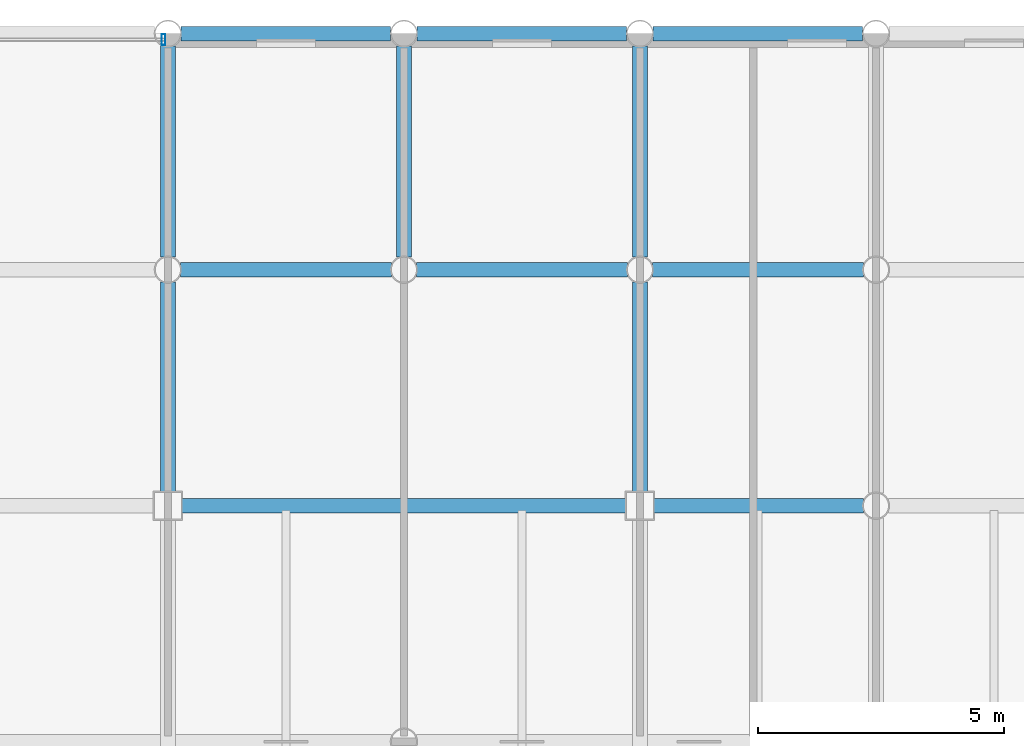
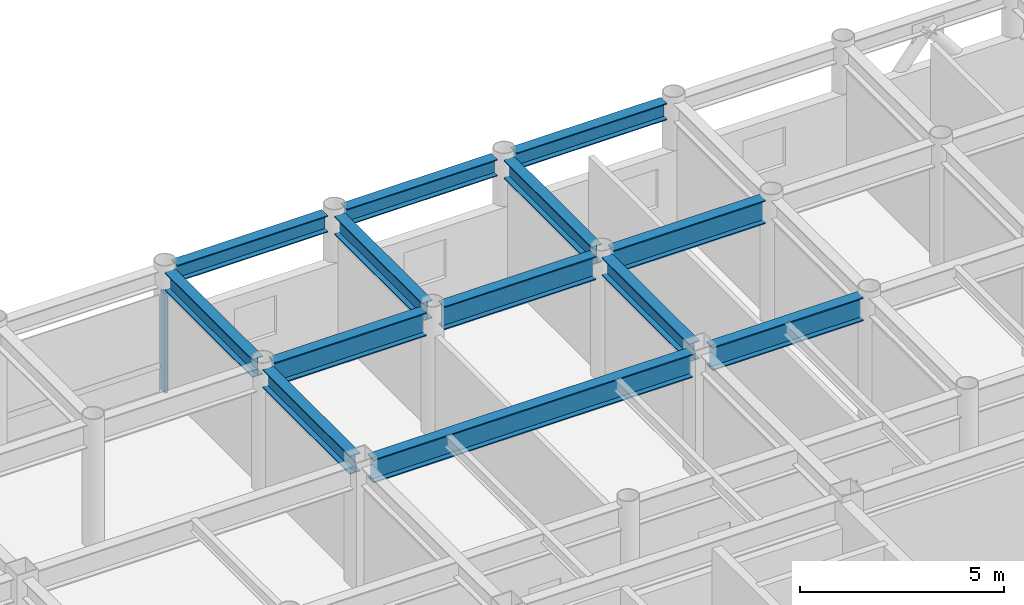
# One storey, part 15 of 22: 13 beams, 1 member, 1 element without a shape of its own.
"""IFC4 building model written with IfcOpenShell, lengths in metres."""

from ifc_helpers import new_model, si_unit, direction, frame, origin, origin_2d, place, context, subcontext, project, spatial, hollow_rectangle, i_section, extrude, material, layer, layer_set, material_profile, profile_set, type_object, element, aggregate, save


model = new_model("IFC4")

# Units and contexts
model_context = context("Model", 3, precision=1e-05, world=origin(), true_north=direction((0.0, 1.0)))
body_context = subcontext(model_context, "Body", "Model", "MODEL_VIEW")
ifc_project = project(units=[si_unit("LENGTHUNIT", "METRE"), si_unit("AREAUNIT", "SQUARE_METRE"), si_unit("VOLUMEUNIT", "CUBIC_METRE"), si_unit("PLANEANGLEUNIT", "RADIAN"), si_unit("MASSUNIT", "GRAM", prefix="KILO")], contexts=[model_context])

# Site, building, storey
site_placement = place(None, origin())
site = spatial("IfcSite", under=ifc_project, at=site_placement, CompositionType="ELEMENT")
building_placement = place(site_placement, origin())
building = spatial("IfcBuilding", under=site, at=building_placement, Name="Kallvorn Hotel Tower", CompositionType="ELEMENT")
storey_placement = place(building_placement, frame((0.0, 0.0, 241.550048828125)))
storey = spatial("IfcBuildingStorey", under=building, at=storey_placement, Name="L60", CompositionType="ELEMENT", Elevation=241.550048828125)

# Beams
ifc_material_1 = material(Name="Structural steel S355JR", Category="steel")
ifc_material_profile_1 = material_profile(ifc_material_1, i_section(OverallWidth=0.300048828125, OverallDepth=0.5, WebThickness=0.014404296875, FlangeThickness=0.028076171875, at=origin_2d()), Name="HE 500 B")
ifc_profile_set_1 = profile_set([ifc_material_profile_1], Name="Structural steel S355JR")
beam_type_1 = type_object("IfcBeamType", Name="BM_HE500B", PredefinedType="SPANDREL", material=ifc_profile_set_1)
beam_1_placement = place(storey_placement, frame((5.069580078125, 24.0, 3.419921875), z_axis=(1.0, 0.0, 0.0), x_axis=(0.0, 1.0, 0.0)))
element("IfcBeam", 1, at=beam_1_placement, inside=storey, type_object=beam_type_1, Name="L61 Perimeter Spandrel 169", PredefinedType="SPANDREL", context=body_context, shape_type="SweptSolid", body=[
    extrude(i_section(OverallWidth=0.300048828125, OverallDepth=0.5, WebThickness=0.014404296875, FlangeThickness=0.028076171875, at=origin_2d()), origin(), (0.0, 0.0, 1.0), 4.260986328125),
])
beam_2_placement = place(storey_placement, frame((9.869384765625, 24.0, 3.419921875), z_axis=(1.0, 0.0, 0.0), x_axis=(0.0, 1.0, 0.0)))
element("IfcBeam", 2, at=beam_2_placement, inside=storey, type_object=beam_type_1, Name="L61 Perimeter Spandrel 170", PredefinedType="SPANDREL", context=body_context, shape_type="SweptSolid", body=[
    extrude(i_section(OverallWidth=0.300048828125, OverallDepth=0.5, WebThickness=0.014404296875, FlangeThickness=0.028076171875, at=origin_2d()), origin(), (0.0, 0.0, 1.0), 4.26123046875),
])
beam_3_placement = place(storey_placement, frame((14.66943359375, 24.0, 3.419921875), z_axis=(1.0, 0.0, 0.0), x_axis=(0.0, 1.0, 0.0)))
element("IfcBeam", 3, at=beam_3_placement, inside=storey, type_object=beam_type_1, Name="L61 Perimeter Spandrel 171", PredefinedType="SPANDREL", context=body_context, shape_type="SweptSolid", body=[
    extrude(i_section(OverallWidth=0.300048828125, OverallDepth=0.5, WebThickness=0.014404296875, FlangeThickness=0.028076171875, at=origin_2d()), origin(), (0.0, 0.0, 1.0), 4.260986328125),
])
ifc_material_2 = material(Name="Structural steel S355JR", Category="steel")
ifc_material_profile_2 = material_profile(ifc_material_2, i_section(OverallWidth=0.300048828125, OverallDepth=0.550048828125, WebThickness=0.014892578125, FlangeThickness=0.029052734375, at=origin_2d()), Name="HE 550 B")
ifc_profile_set_2 = profile_set([ifc_material_profile_2], Name="Structural steel S355JR")
beam_type_2 = type_object("IfcBeamType", Name="BM_HE550B", PredefinedType="SPANDREL", material=ifc_profile_set_2)
beam_4_placement = place(storey_placement, frame((4.800048828125, 14.675048828125, 3.39501953125), z_axis=(0.0, 1.0, 0.0), x_axis=(-1.0, 0.0, 0.0)))
element("IfcBeam", 4, at=beam_4_placement, inside=storey, type_object=beam_type_2, Name="L61 Primary Y-Girder 116", PredefinedType="SPANDREL", context=body_context, shape_type="SweptSolid", body=[
    extrude(i_section(OverallWidth=0.300048828125, OverallDepth=0.550048828125, WebThickness=0.014892578125, FlangeThickness=0.029052734375, at=origin_2d()), origin(), (0.0, 0.0, 1.0), 4.2705078125),
])
for number, where, z_axis, x_axis, name in (
    (5, (4.800048828125, 19.45458984375, 3.39501953125), (0.0, 1.0, 0.0), (-1.0, 0.0, 0.0), "L61 Primary Y-Girder 117"),
    (6, (9.60009765625, 19.45458984375, 3.39501953125), (0.0, 1.0, 0.0), (-1.0, 0.0, 0.0), "L61 Primary Y-Girder 120"),
):
    element("IfcBeam", number, at=place(storey_placement, frame(where, z_axis=z_axis, x_axis=x_axis)), inside=storey, type_object=beam_type_2, Name=name, PredefinedType="SPANDREL", context=body_context, shape_type="SweptSolid", body=[
        extrude(i_section(OverallWidth=0.300048828125, OverallDepth=0.550048828125, WebThickness=0.014892578125, FlangeThickness=0.029052734375, at=origin_2d()), origin(), (0.0, 0.0, 1.0), 4.291015625),
    ])
beam_5_placement = place(storey_placement, frame((14.39990234375, 14.675048828125, 3.39501953125), z_axis=(0.0, 1.0, 0.0), x_axis=(-1.0, 0.0, 0.0)))
element("IfcBeam", 7, at=beam_5_placement, inside=storey, type_object=beam_type_2, Name="L61 Primary Y-Girder 124", PredefinedType="SPANDREL", context=body_context, shape_type="SweptSolid", body=[
    extrude(i_section(OverallWidth=0.300048828125, OverallDepth=0.550048828125, WebThickness=0.014892578125, FlangeThickness=0.029052734375, at=origin_2d()), origin(), (0.0, 0.0, 1.0), 4.2705078125),
])
beam_6_placement = place(storey_placement, frame((14.39990234375, 19.45458984375, 3.39501953125), z_axis=(0.0, 1.0, 0.0), x_axis=(-1.0, 0.0, 0.0)))
element("IfcBeam", 8, at=beam_6_placement, inside=storey, type_object=beam_type_2, Name="L61 Primary Y-Girder 125", PredefinedType="SPANDREL", context=body_context, shape_type="SweptSolid", body=[
    extrude(i_section(OverallWidth=0.300048828125, OverallDepth=0.550048828125, WebThickness=0.014892578125, FlangeThickness=0.029052734375, at=origin_2d()), origin(), (0.0, 0.0, 1.0), 4.291015625),
])
ifc_material_3 = material(Name="Structural steel S355JR", Category="steel")
ifc_material_profile_3 = material_profile(ifc_material_3, i_section(OverallWidth=0.300048828125, OverallDepth=0.699951171875, WebThickness=0.01708984375, FlangeThickness=0.031982421875, at=origin_2d()), Name="HE 700 B")
ifc_profile_set_3 = profile_set([ifc_material_profile_3], Name="Structural steel S355JR")
beam_type_3 = type_object("IfcBeamType", Name="BM_HE700B", PredefinedType="BEAM", material=ifc_profile_set_3)
beam_7_placement = place(storey_placement, frame((5.074951171875, 14.39990234375, 3.320068359375), z_axis=(1.0, 0.0, 0.0), x_axis=(0.0, 1.0, 0.0)))
element("IfcBeam", 9, at=beam_7_placement, inside=storey, type_object=beam_type_3, Name="L61 Primary X-Girder 55", PredefinedType="BEAM", context=body_context, shape_type="SweptSolid", body=[
    extrude(i_section(OverallWidth=0.300048828125, OverallDepth=0.699951171875, WebThickness=0.01708984375, FlangeThickness=0.031982421875, at=origin_2d()), origin(), (0.0, 0.0, 1.0), 9.050048828125),
])
beam_8_placement = place(storey_placement, frame((14.675048828125, 14.39990234375, 3.320068359375), z_axis=(1.0, 0.0, 0.0), x_axis=(0.0, 1.0, 0.0)))
element("IfcBeam", 10, at=beam_8_placement, inside=storey, type_object=beam_type_3, Name="L61 Primary X-Girder 56", PredefinedType="BEAM", context=body_context, shape_type="SweptSolid", body=[
    extrude(i_section(OverallWidth=0.300048828125, OverallDepth=0.699951171875, WebThickness=0.01708984375, FlangeThickness=0.031982421875, at=origin_2d()), origin(), (0.0, 0.0, 1.0), 4.2705078125),
])
for number, where, z_axis, x_axis, name in (
    (11, (5.054443359375, 19.199951171875, 3.320068359375), (1.0, 0.0, 0.0), (0.0, 1.0, 0.0), "L61 Primary X-Girder 67"),
    (12, (9.8544921875, 19.199951171875, 3.320068359375), (1.0, 0.0, 0.0), (0.0, 1.0, 0.0), "L61 Primary X-Girder 68"),
    (13, (14.654541015625, 19.199951171875, 3.320068359375), (1.0, 0.0, 0.0), (0.0, 1.0, 0.0), "L61 Primary X-Girder 69"),
):
    element("IfcBeam", number, at=place(storey_placement, frame(where, z_axis=z_axis, x_axis=x_axis)), inside=storey, type_object=beam_type_3, Name=name, PredefinedType="BEAM", context=body_context, shape_type="SweptSolid", body=[
        extrude(i_section(OverallWidth=0.300048828125, OverallDepth=0.699951171875, WebThickness=0.01708984375, FlangeThickness=0.031982421875, at=origin_2d()), origin(), (0.0, 0.0, 1.0), 4.291015625),
    ])

# Curtain wall, member
ifc_material_4 = material(Name="Thermally broken black-anodised aluminium AA 6063-T6", Category="aluminium")
ifc_layer = layer(ifc_material_4, 0.22998046875)
ifc_layer_set = layer_set([ifc_layer], Name="CW_SYS_5_HOTEL_HIGH")
curtain_wall_type = type_object("IfcCurtainWallType", Name="CW_SYS_5_HOTEL_HIGH", PredefinedType="USERDEFINED", material=ifc_layer_set)
curtain_wall_placement = place(storey_placement, origin())
curtain_wall = element("IfcCurtainWall", 14, at=curtain_wall_placement, inside=storey, type_object=curtain_wall_type, Name="L60 Dark-Glass Curtain Wall CW-L60-NC", ObjectType="UNITISED CURTAIN WALL", PredefinedType="USERDEFINED")
ifc_material_5 = material(Name="Thermally broken black-anodised aluminium AA 6063-T6", Category="aluminium")
ifc_material_profile_4 = material_profile(ifc_material_5, hollow_rectangle(XDim=0.080078125, YDim=0.219970703125, WallThickness=0.0048828125, at=origin_2d()), Name="MUL 220x80")
ifc_profile_set_4 = profile_set([ifc_material_profile_4], Name="Thermally broken black-anodised aluminium AA 6063-T6")
member_type = type_object("IfcMemberType", Name="CW_MULLION_220x80", PredefinedType="MULLION", material=ifc_profile_set_4)
member_placement = place(storey_placement, frame((4.7099609375, 23.8798828125, 0.02001953125), z_axis=(0.0, 0.0, 1.0), x_axis=(1.0, 0.0, 0.0)))
member = element("IfcMember", 15, at=member_placement, type_object=member_type, Name="CW-L60-NC Mullion 02", PredefinedType="MULLION", context=body_context, shape_type="SweptSolid", body=[
    extrude(hollow_rectangle(XDim=0.080078125, YDim=0.219970703125, WallThickness=0.0048828125, at=origin_2d()), origin(), (0.0, 0.0, 1.0), 2.97998046875),
])
aggregate(curtain_wall, [member])

save(model, "model.ifc")
